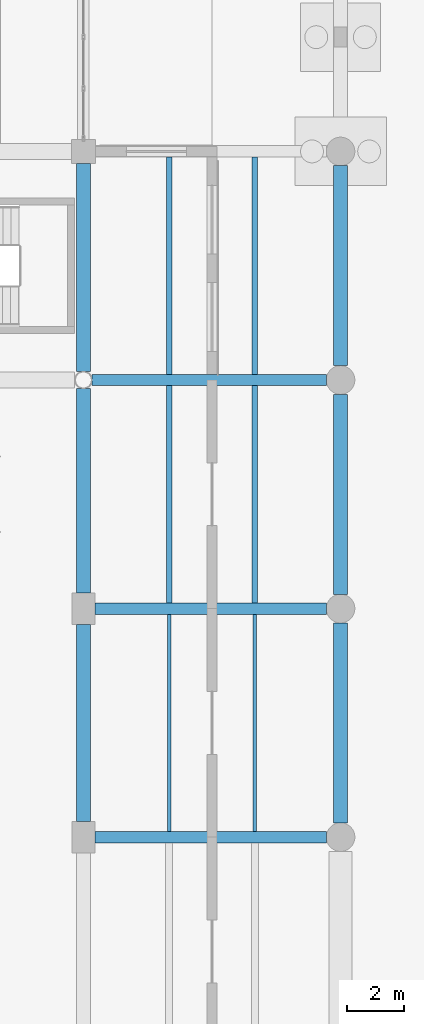
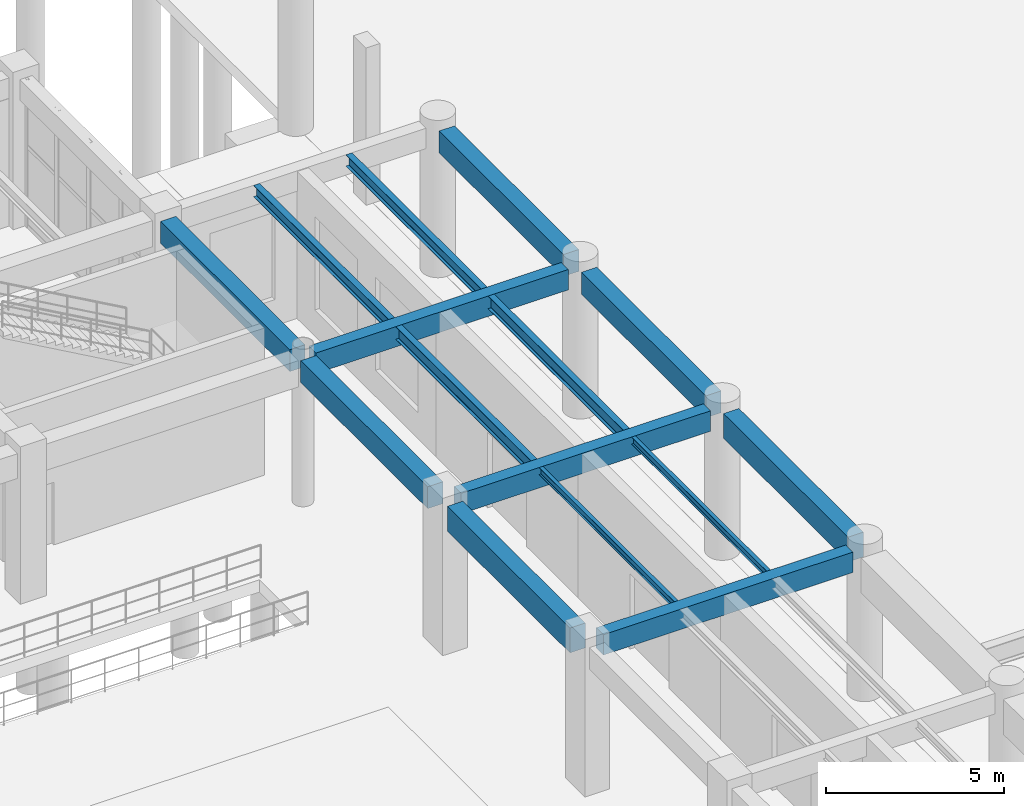
# One storey, part 44 of 121: 15 beams.
"""IFC4 building model written with IfcOpenShell, lengths in metres."""

from ifc_helpers import new_model, si_unit, derived_unit, direction, frame, origin, origin_2d, place, context, subcontext, project, spatial, rectangle, i_section, extrude, material, material_profile, profile_set, type_object, element, save


model = new_model("IFC4")

# Units and contexts
model_context = context("Model", 3, precision=1e-05, world=origin(), true_north=direction((0.0, 1.0)))
body_context = subcontext(model_context, "Body", "Model", "MODEL_VIEW")
ifc_project = project(units=[si_unit("LENGTHUNIT", "METRE"), si_unit("AREAUNIT", "SQUARE_METRE"), si_unit("VOLUMEUNIT", "CUBIC_METRE"), si_unit("PLANEANGLEUNIT", "RADIAN"), si_unit("MASSUNIT", "GRAM", prefix="KILO"), derived_unit("THERMALTRANSMITTANCEUNIT", [(si_unit("MASSUNIT", "GRAM", prefix="KILO"), 1), (si_unit("TIMEUNIT", "SECOND"), -3), (si_unit("THERMODYNAMICTEMPERATUREUNIT", "KELVIN"), -1)])], contexts=[model_context])

# Site, building, storey
site_placement = place(None, origin())
site = spatial("IfcSite", under=ifc_project, at=site_placement, CompositionType="ELEMENT")
building_placement = place(site_placement, origin())
building = spatial("IfcBuilding", under=site, at=building_placement, Name="Zhenchuan Archway Interchange", CompositionType="ELEMENT")
storey_placement = place(building_placement, origin())
storey = spatial("IfcBuildingStorey", under=building, at=storey_placement, Name="L00", CompositionType="ELEMENT", Elevation=0.0)

# Beams
ifc_material_1 = material(Name="Concrete C40", Category="concrete")
ifc_material_profile_1 = material_profile(ifc_material_1, rectangle(XDim=0.5, YDim=0.75, at=origin_2d()), Name="RC 500x750")
ifc_profile_set_1 = profile_set([ifc_material_profile_1], Name="Concrete C40")
beam_type_1 = type_object("IfcBeamType", Name="BM_RC_500x750", PredefinedType="BEAM", material=ifc_profile_set_1)
beam_1_placement = place(storey_placement, frame((63.0, 72.550048828125, 4.705078125), z_axis=(0.0, 1.0, 0.0), x_axis=(-1.0, 0.0, 0.0)))
element("IfcBeam", 1, at=beam_1_placement, inside=storey, type_object=beam_type_1, Name="Beam 8:K-L (L00)", PredefinedType="BEAM", context=body_context, shape_type="SweptSolid", body=[
    extrude(rectangle(XDim=0.5, YDim=0.75, at=origin_2d()), origin(), (0.0, 0.0, 1.0), 7.14501953125),
])
beam_2_placement = place(storey_placement, frame((63.0, 80.304931640625, 4.705078125), z_axis=(0.0, 1.0, 0.0), x_axis=(-1.0, 0.0, 0.0)))
element("IfcBeam", 2, at=beam_2_placement, inside=storey, type_object=beam_type_1, Name="Beam 8:L-M (L00)", PredefinedType="BEAM", context=body_context, shape_type="SweptSolid", body=[
    extrude(rectangle(XDim=0.5, YDim=0.75, at=origin_2d()), origin(), (0.0, 0.0, 1.0), 7.27001953125),
])
for number, where, z_axis, x_axis, name in (
    (3, (72.0, 72.5, 4.705078125), (0.0, 1.0, 0.0), (-1.0, 0.0, 0.0), "Beam 9:K-L (L00)"),
    (4, (72.0, 80.5, 4.705078125), (0.0, 1.0, 0.0), (-1.0, 0.0, 0.0), "Beam 9:L-M (L00)"),
):
    element("IfcBeam", number, at=place(storey_placement, frame(where, z_axis=z_axis, x_axis=x_axis)), inside=storey, type_object=beam_type_1, Name=name, PredefinedType="BEAM", context=body_context, shape_type="SweptSolid", body=[
        extrude(rectangle(XDim=0.5, YDim=0.75, at=origin_2d()), origin(), (0.0, 0.0, 1.0), 7.0),
    ])
ifc_material_profile_2 = material_profile(ifc_material_1, rectangle(XDim=0.5, YDim=0.85009765625, at=origin_2d()), Name="RC 500x850")
ifc_profile_set_2 = profile_set([ifc_material_profile_2], Name="Concrete C40")
beam_type_2 = type_object("IfcBeamType", Name="BM_RC_500x850", PredefinedType="BEAM", material=ifc_profile_set_2)
beam_3_placement = place(storey_placement, frame((63.0, 64.550048828125, 4.655029296875), z_axis=(0.0, 1.0, 0.0), x_axis=(-1.0, 0.0, 0.0)))
element("IfcBeam", 5, at=beam_3_placement, inside=storey, type_object=beam_type_2, Name="Beam 8:J-K (L00)", PredefinedType="BEAM", context=body_context, shape_type="SweptSolid", body=[
    extrude(rectangle(XDim=0.5, YDim=0.85009765625, at=origin_2d()), origin(), (0.0, 0.0, 1.0), 6.89990234375),
])
beam_4_placement = place(storey_placement, frame((72.0, 64.5, 4.655029296875), z_axis=(0.0, 1.0, 0.0), x_axis=(-1.0, 0.0, 0.0)))
element("IfcBeam", 6, at=beam_4_placement, inside=storey, type_object=beam_type_2, Name="Beam 9:J-K (L00)", PredefinedType="BEAM", context=body_context, shape_type="SweptSolid", body=[
    extrude(rectangle(XDim=0.5, YDim=0.85009765625, at=origin_2d()), origin(), (0.0, 0.0, 1.0), 7.0),
])
ifc_material_2 = material(Name="Steel Q355", Category="steel")
ifc_material_profile_3 = material_profile(ifc_material_2, i_section(OverallWidth=0.125, OverallDepth=0.25, WebThickness=0.006103515625, FlangeThickness=0.009033203125, FilletRadius=0.011962890625, at=origin_2d()), Name="HN 250x125")
ifc_profile_set_3 = profile_set([ifc_material_profile_3], Name="Steel Q355")
beam_type_3 = type_object("IfcBeamType", Name="JST_STL_HN250", PredefinedType="JOIST", material=ifc_profile_set_3)
for number, where, z_axis, x_axis, name in (
    (7, (66.0, 64.199951171875, 4.955078125), (0.0, 1.0, 0.0), (-1.0, 0.0, 0.0), "Secondary joist 8-9/J-K #1 (L00)"),
    (8, (69.0, 64.199951171875, 4.955078125), (0.0, 1.0, 0.0), (-1.0, 0.0, 0.0), "Secondary joist 8-9/J-K #2 (L00)"),
):
    element("IfcBeam", number, at=place(storey_placement, frame(where, z_axis=z_axis, x_axis=x_axis)), inside=storey, type_object=beam_type_3, Name=name, PredefinedType="JOIST", context=body_context, shape_type="SweptSolid", body=[
        extrude(i_section(OverallWidth=0.125, OverallDepth=0.25, WebThickness=0.006103515625, FlangeThickness=0.009033203125, FilletRadius=0.011962890625, at=origin_2d()), origin(), (0.0, 0.0, 1.0), 7.60009765625),
    ])
ifc_material_profile_4 = material_profile(ifc_material_2, i_section(OverallWidth=0.199951171875, OverallDepth=0.39990234375, WebThickness=0.008056640625, FlangeThickness=0.012939453125, FilletRadius=0.01611328125, at=origin_2d()), Name="HN 400x200")
ifc_profile_set_4 = profile_set([ifc_material_profile_4], Name="Steel Q355")
beam_type_4 = type_object("IfcBeamType", Name="JST_STL_HN400", PredefinedType="JOIST", material=ifc_profile_set_4)
for number, where, z_axis, x_axis, name in (
    (9, (66.0, 80.199951171875, 4.8798828125), (0.0, 1.0, 0.0), (-1.0, 0.0, 0.0), "Secondary joist 8-9/L-M #1 (L00)"),
    (10, (69.0, 80.199951171875, 4.8798828125), (0.0, 1.0, 0.0), (-1.0, 0.0, 0.0), "Secondary joist 8-9/L-M #2 (L00)"),
):
    element("IfcBeam", number, at=place(storey_placement, frame(where, z_axis=z_axis, x_axis=x_axis)), inside=storey, type_object=beam_type_4, Name=name, PredefinedType="JOIST", context=body_context, shape_type="SweptSolid", body=[
        extrude(i_section(OverallWidth=0.199951171875, OverallDepth=0.39990234375, WebThickness=0.008056640625, FlangeThickness=0.012939453125, FilletRadius=0.01611328125, at=origin_2d()), origin(), (0.0, 0.0, 1.0), 7.60009765625),
    ])
ifc_material_profile_5 = material_profile(ifc_material_2, i_section(OverallWidth=0.199951171875, OverallDepth=0.449951171875, WebThickness=0.009033203125, FlangeThickness=0.013916015625, FilletRadius=0.01806640625, at=origin_2d()), Name="HN 450x200")
ifc_profile_set_5 = profile_set([ifc_material_profile_5], Name="Steel Q355")
beam_type_5 = type_object("IfcBeamType", Name="JST_STL_HN450", PredefinedType="JOIST", material=ifc_profile_set_5)
for number, where, z_axis, x_axis, name in (
    (11, (66.0, 72.199951171875, 4.85498046875), (0.0, 1.0, 0.0), (-1.0, 0.0, 0.0), "Secondary joist 8-9/K-L #1 (L00)"),
    (12, (69.0, 72.199951171875, 4.85498046875), (0.0, 1.0, 0.0), (-1.0, 0.0, 0.0), "Secondary joist 8-9/K-L #2 (L00)"),
):
    element("IfcBeam", number, at=place(storey_placement, frame(where, z_axis=z_axis, x_axis=x_axis)), inside=storey, type_object=beam_type_5, Name=name, PredefinedType="JOIST", context=body_context, shape_type="SweptSolid", body=[
        extrude(i_section(OverallWidth=0.199951171875, OverallDepth=0.449951171875, WebThickness=0.009033203125, FlangeThickness=0.013916015625, FilletRadius=0.01806640625, at=origin_2d()), origin(), (0.0, 0.0, 1.0), 7.60009765625),
    ])
ifc_material_profile_6 = material_profile(ifc_material_1, rectangle(XDim=0.39990234375, YDim=0.699951171875, at=origin_2d()), Name="RC 400x700")
ifc_profile_set_6 = profile_set([ifc_material_profile_6], Name="Concrete C40")
beam_type_6 = type_object("IfcBeamType", Name="SP_RC_400x700", PredefinedType="SPANDREL", material=ifc_profile_set_6)
for number, where, z_axis, x_axis, name in (
    (13, (63.39990234375, 64.0, 4.72998046875), (1.0, 0.0, 0.0), (0.0, 1.0, 0.0), "Beam J:8-9 (L00)"),
    (14, (63.39990234375, 72.0, 4.72998046875), (1.0, 0.0, 0.0), (0.0, 1.0, 0.0), "Beam K:8-9 (L00)"),
):
    element("IfcBeam", number, at=place(storey_placement, frame(where, z_axis=z_axis, x_axis=x_axis)), inside=storey, type_object=beam_type_6, Name=name, PredefinedType="SPANDREL", context=body_context, shape_type="SweptSolid", body=[
        extrude(rectangle(XDim=0.39990234375, YDim=0.699951171875, at=origin_2d()), origin(), (0.0, 0.0, 1.0), 8.10009765625),
    ])
beam_5_placement = place(storey_placement, frame((63.304931640625, 80.0, 4.72998046875), z_axis=(1.0, 0.0, 0.0), x_axis=(0.0, 1.0, 0.0)))
element("IfcBeam", 15, at=beam_5_placement, inside=storey, type_object=beam_type_6, Name="Beam L:8-9 (L00)", PredefinedType="SPANDREL", context=body_context, shape_type="SweptSolid", body=[
    extrude(rectangle(XDim=0.39990234375, YDim=0.699951171875, at=origin_2d()), origin(), (0.0, 0.0, 1.0), 8.195068359375),
])

save(model, "model.ifc")
